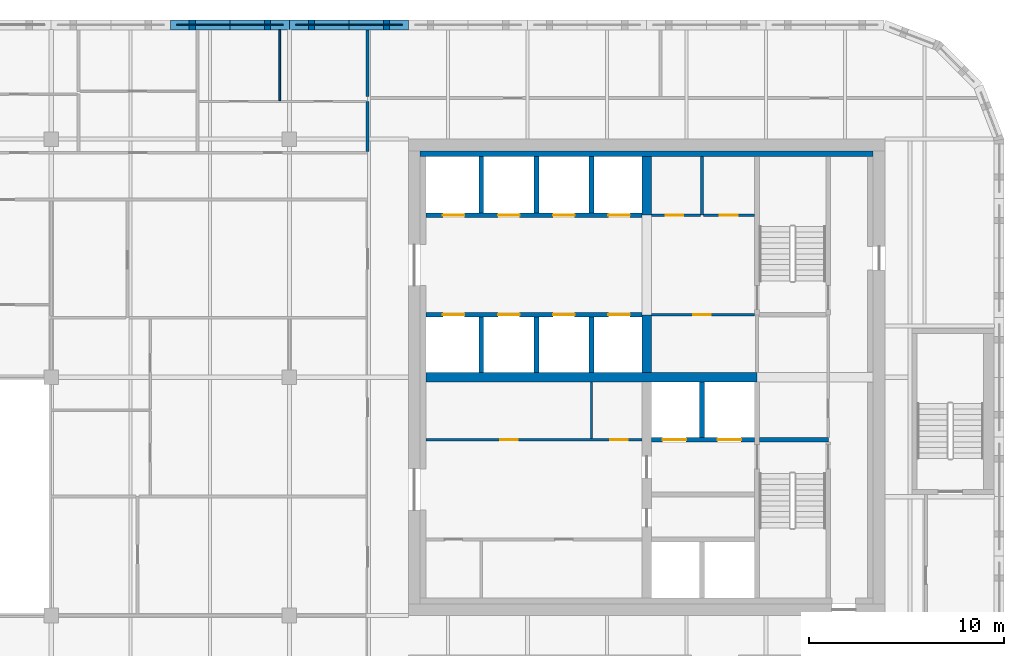
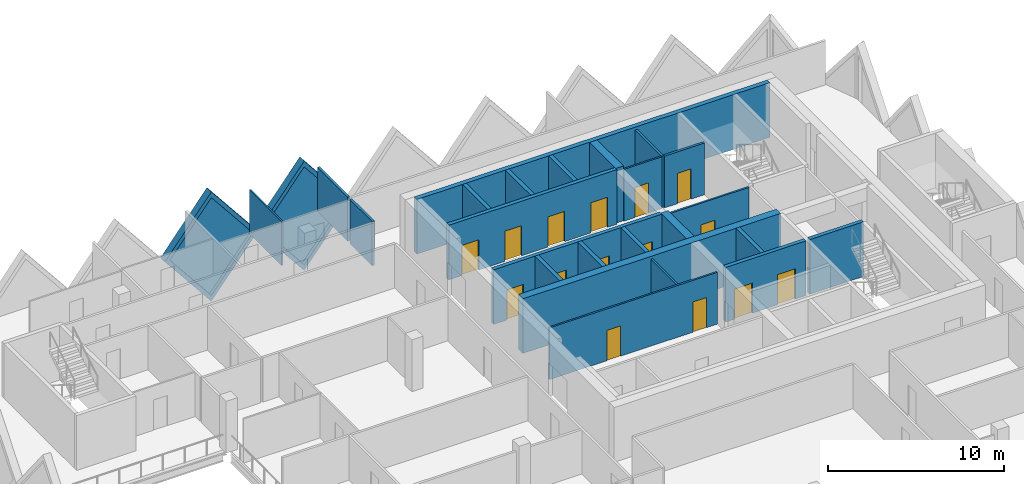
# One storey, part 8 of 11: 26 walls, 15 doors, 2 plates, 17 openings.
"""IFC4 building model written with IfcOpenShell, lengths in metres."""

from ifc_helpers import new_model, si_unit, direction, frame, frame_2d, origin, place, context, subcontext, project, spatial, polyline, rectangle, outline, extrude, faceted_brep, source, transform, mapped, material, layer, layer_set, type_object, element, fill, save


model = new_model("IFC4")

# Units and contexts
model_context = context("Model", 3, precision=1e-05, world=origin(), true_north=direction((0.0, 1.0)))
body_context = subcontext(model_context, "Body", "Model", "MODEL_VIEW")
ifc_project = project(units=[si_unit("LENGTHUNIT", "METRE"), si_unit("AREAUNIT", "SQUARE_METRE"), si_unit("VOLUMEUNIT", "CUBIC_METRE"), si_unit("PLANEANGLEUNIT", "RADIAN"), si_unit("MASSUNIT", "GRAM", prefix="KILO")], contexts=[model_context])

# Site, building, storey
site_placement = place(None, origin())
site = spatial("IfcSite", under=ifc_project, at=site_placement, CompositionType="ELEMENT")
building_placement = place(site_placement, origin())
building = spatial("IfcBuilding", under=site, at=building_placement, Name="Tessera Gate Towers", CompositionType="ELEMENT")
storey_placement = place(building_placement, frame((0.0, 0.0, 166.800048828125)))
storey = spatial("IfcBuildingStorey", under=building, at=storey_placement, Name="L41", CompositionType="ELEMENT", Elevation=166.800048828125)

# Wall, openings, doors
ifc_material_1 = material(Name="Concrete C40/50", Category="concrete")
ifc_layer_1 = layer(ifc_material_1, 0.25)
ifc_layer_set_1 = layer_set([ifc_layer_1], Name="CORE ENCLOSURE WALL 250")
wall_type_1 = type_object("IfcWallType", Name="CORE ENCLOSURE WALL 250", PredefinedType="SOLIDWALL", material=ifc_layer_set_1)
wall_1_placement = place(storey_placement, frame((31.39990234375, 39.800048828125, 0.0), z_axis=(0.0, 0.0, 1.0), x_axis=(1.0, 0.0, 0.0)))
wall_1 = element("IfcWall", 1, at=wall_1_placement, inside=storey, type_object=wall_type_1, Name="L41 shaft and stair enclosure wall", PredefinedType="SOLIDWALL", context=body_context, shape_type="SweptSolid", body=[
    extrude(rectangle(XDim=11.050048828125, YDim=0.25, at=frame_2d((5.52490234375, 0.0))), origin(), (0.0, 0.0, 1.0), 3.800048828125),
])
shared_shape_1 = source(origin(), body_context, "Body", "SweptSolid", [
    extrude(rectangle(XDim=1.10009765625, YDim=2.10009765625, at=frame_2d((0.550048828125, 1.050048828125))), frame((0.0, 0.135009765625, 0.0), z_axis=(0.0, -1.0, 0.0), x_axis=(1.0, 0.0, 0.0)), (0.0, 0.0, 1.0), 0.27001953125),
])
opening_1_placement = place(wall_1_placement, frame((0.862548828125, 0.0, 0.0)))
opening_1 = element("IfcOpeningElement", 2, at=opening_1_placement, cuts=wall_1, Name="Opening LD-HR1", PredefinedType="OPENING", context=body_context, shape_type="MappedRepresentation", body=[
    mapped(shared_shape_1, transform((0.0, 0.0, 0.0), scale=1.0)),
])
opening_2_placement = place(wall_1_placement, frame((3.6875, 0.0, 0.0)))
opening_2 = element("IfcOpeningElement", 3, at=opening_2_placement, cuts=wall_1, Name="Opening LD-HR2", PredefinedType="OPENING", context=body_context, shape_type="MappedRepresentation", body=[
    mapped(shared_shape_1, transform((0.0, 0.0, 0.0), scale=1.0)),
])
opening_3_placement = place(wall_1_placement, frame((6.512451171875, 0.0, 0.0)))
opening_3 = element("IfcOpeningElement", 4, at=opening_3_placement, cuts=wall_1, Name="Opening LD-HR3", PredefinedType="OPENING", context=body_context, shape_type="MappedRepresentation", body=[
    mapped(shared_shape_1, transform((0.0, 0.0, 0.0), scale=1.0)),
])
opening_4_placement = place(wall_1_placement, frame((9.33740234375, 0.0, 0.0)))
opening_4 = element("IfcOpeningElement", 5, at=opening_4_placement, cuts=wall_1, Name="Opening LD-HR4", PredefinedType="OPENING", context=body_context, shape_type="MappedRepresentation", body=[
    mapped(shared_shape_1, transform((0.0, 0.0, 0.0), scale=1.0)),
])
ifc_material_2 = material(Name="Stainless steel", Category="steel")
door_type_1 = type_object("IfcDoorType", Name="CORE DOOR LD 1100x2100", OperationType="DOUBLE_DOOR_SLIDING", PredefinedType="DOOR", material=ifc_material_2)
shared_shape_2 = source(origin(), body_context, "Body", "SweptSolid", [
    extrude(rectangle(XDim=1.10009765625, YDim=2.10009765625, at=frame_2d((0.550048828125, 1.050048828125))), frame((0.0, 0.02490234375, 0.0), z_axis=(0.0, -1.0, 0.0), x_axis=(1.0, 0.0, 0.0)), (0.0, 0.0, 1.0), 0.050048828125),
])
door_1_placement = place(opening_1_placement, origin())
door_1 = element("IfcDoor", 6, at=door_1_placement, inside=storey, type_object=door_type_1, Name="Landing door HR1 L41", OperationType="DOUBLE_DOOR_SLIDING", OverallHeight=2.10009765625, OverallWidth=1.10009765625, PredefinedType="DOOR", context=body_context, shape_type="MappedRepresentation", body=[
    mapped(shared_shape_2, transform((0.0, 0.0, 0.0), scale=1.0)),
])
fill(opening_1, door_1)
door_2_placement = place(opening_2_placement, origin())
door_2 = element("IfcDoor", 7, at=door_2_placement, inside=storey, type_object=door_type_1, Name="Landing door HR2 L41", OperationType="DOUBLE_DOOR_SLIDING", OverallHeight=2.10009765625, OverallWidth=1.10009765625, PredefinedType="DOOR", context=body_context, shape_type="MappedRepresentation", body=[
    mapped(shared_shape_2, transform((0.0, 0.0, 0.0), scale=1.0)),
])
fill(opening_2, door_2)
door_3_placement = place(opening_3_placement, origin())
door_3 = element("IfcDoor", 8, at=door_3_placement, inside=storey, type_object=door_type_1, Name="Landing door HR3 L41", OperationType="DOUBLE_DOOR_SLIDING", OverallHeight=2.10009765625, OverallWidth=1.10009765625, PredefinedType="DOOR", context=body_context, shape_type="MappedRepresentation", body=[
    mapped(shared_shape_2, transform((0.0, 0.0, 0.0), scale=1.0)),
])
fill(opening_3, door_3)
door_4_placement = place(opening_4_placement, origin())
door_4 = element("IfcDoor", 9, at=door_4_placement, inside=storey, type_object=door_type_1, Name="Landing door HR4 L41", OperationType="DOUBLE_DOOR_SLIDING", OverallHeight=2.10009765625, OverallWidth=1.10009765625, PredefinedType="DOOR", context=body_context, shape_type="MappedRepresentation", body=[
    mapped(shared_shape_2, transform((0.0, 0.0, 0.0), scale=1.0)),
])
fill(opening_4, door_4)

wall_2_placement = place(storey_placement, frame((42.449951171875, 44.89990234375, 0.0), z_axis=(0.0, 0.0, 1.0), x_axis=(-1.0, 0.0, 0.0)))
wall_2 = element("IfcWall", 10, at=wall_2_placement, inside=storey, type_object=wall_type_1, Name="L41 shaft and stair enclosure wall", PredefinedType="SOLIDWALL", context=body_context, shape_type="SweptSolid", body=[
    extrude(rectangle(XDim=11.050048828125, YDim=0.25, at=frame_2d((5.52490234375, 0.0))), origin(), (0.0, 0.0, 1.0), 3.800048828125),
])
opening_5_placement = place(wall_2_placement, frame((9.08740234375, 0.0, 0.0)))
opening_5 = element("IfcOpeningElement", 11, at=opening_5_placement, cuts=wall_2, Name="Opening LD-HR5", PredefinedType="OPENING", context=body_context, shape_type="MappedRepresentation", body=[
    mapped(shared_shape_1, transform((0.0, 0.0, 0.0), scale=1.0)),
])
opening_6_placement = place(wall_2_placement, frame((6.262451171875, 0.0, 0.0)))
opening_6 = element("IfcOpeningElement", 12, at=opening_6_placement, cuts=wall_2, Name="Opening LD-HR6", PredefinedType="OPENING", context=body_context, shape_type="MappedRepresentation", body=[
    mapped(shared_shape_1, transform((0.0, 0.0, 0.0), scale=1.0)),
])
opening_7_placement = place(wall_2_placement, frame((3.4375, 0.0, 0.0)))
opening_7 = element("IfcOpeningElement", 13, at=opening_7_placement, cuts=wall_2, Name="Opening LD-HR7", PredefinedType="OPENING", context=body_context, shape_type="MappedRepresentation", body=[
    mapped(shared_shape_1, transform((0.0, 0.0, 0.0), scale=1.0)),
])
opening_8_placement = place(wall_2_placement, frame((0.612548828125, 0.0, 0.0)))
opening_8 = element("IfcOpeningElement", 14, at=opening_8_placement, cuts=wall_2, Name="Opening LD-HR8", PredefinedType="OPENING", context=body_context, shape_type="MappedRepresentation", body=[
    mapped(shared_shape_1, transform((0.0, 0.0, 0.0), scale=1.0)),
])
door_5_placement = place(opening_5_placement, origin())
door_5 = element("IfcDoor", 15, at=door_5_placement, inside=storey, type_object=door_type_1, Name="Landing door HR5 L41", OperationType="DOUBLE_DOOR_SLIDING", OverallHeight=2.10009765625, OverallWidth=1.10009765625, PredefinedType="DOOR", context=body_context, shape_type="MappedRepresentation", body=[
    mapped(shared_shape_2, transform((0.0, 0.0, 0.0), scale=1.0)),
])
fill(opening_5, door_5)
door_6_placement = place(opening_6_placement, origin())
door_6 = element("IfcDoor", 16, at=door_6_placement, inside=storey, type_object=door_type_1, Name="Landing door HR6 L41", OperationType="DOUBLE_DOOR_SLIDING", OverallHeight=2.10009765625, OverallWidth=1.10009765625, PredefinedType="DOOR", context=body_context, shape_type="MappedRepresentation", body=[
    mapped(shared_shape_2, transform((0.0, 0.0, 0.0), scale=1.0)),
])
fill(opening_6, door_6)
door_7_placement = place(opening_7_placement, origin())
door_7 = element("IfcDoor", 17, at=door_7_placement, inside=storey, type_object=door_type_1, Name="Landing door HR7 L41", OperationType="DOUBLE_DOOR_SLIDING", OverallHeight=2.10009765625, OverallWidth=1.10009765625, PredefinedType="DOOR", context=body_context, shape_type="MappedRepresentation", body=[
    mapped(shared_shape_2, transform((0.0, 0.0, 0.0), scale=1.0)),
])
fill(opening_7, door_7)
door_8_placement = place(opening_8_placement, origin())
door_8 = element("IfcDoor", 18, at=door_8_placement, inside=storey, type_object=door_type_1, Name="Landing door HR8 L41", OperationType="DOUBLE_DOOR_SLIDING", OverallHeight=2.10009765625, OverallWidth=1.10009765625, PredefinedType="DOOR", context=body_context, shape_type="MappedRepresentation", body=[
    mapped(shared_shape_2, transform((0.0, 0.0, 0.0), scale=1.0)),
])
fill(opening_8, door_8)

wall_3_placement = place(storey_placement, frame((48.22509765625, 33.39990234375, 0.0), z_axis=(0.0, 0.0, 1.0), x_axis=(-1.0, 0.0, 0.0)))
wall_3 = element("IfcWall", 19, at=wall_3_placement, inside=storey, type_object=wall_type_1, Name="L41 shaft and stair enclosure wall", PredefinedType="SOLIDWALL", context=body_context, shape_type="SweptSolid", body=[
    extrude(rectangle(XDim=5.275146484375, YDim=0.25, at=frame_2d((2.6376953125, 0.0))), origin(), (0.0, 0.0, 1.0), 3.800048828125),
])
shared_shape_3 = source(origin(), body_context, "Body", "SweptSolid", [
    extrude(rectangle(XDim=1.199951171875, YDim=2.10009765625, at=frame_2d((0.60009765625, 1.050048828125))), frame((0.0, 0.135009765625, 0.0), z_axis=(0.0, -1.0, 0.0), x_axis=(1.0, 0.0, 0.0)), (0.0, 0.0, 1.0), 0.27001953125),
])
opening_9_placement = place(wall_3_placement, frame((3.512451171875, 0.0, 0.0)))
opening_9 = element("IfcOpeningElement", 20, at=opening_9_placement, cuts=wall_3, Name="Opening LD-FF1", PredefinedType="OPENING", context=body_context, shape_type="MappedRepresentation", body=[
    mapped(shared_shape_3, transform((0.0, 0.0, 0.0), scale=1.0)),
])
opening_10_placement = place(wall_3_placement, frame((0.6875, 0.0, 0.0)))
opening_10 = element("IfcOpeningElement", 21, at=opening_10_placement, cuts=wall_3, Name="Opening LD-FF2", PredefinedType="OPENING", context=body_context, shape_type="MappedRepresentation", body=[
    mapped(shared_shape_3, transform((0.0, 0.0, 0.0), scale=1.0)),
])
ifc_material_3 = material(Name="Stainless steel", Category="steel")
door_type_2 = type_object("IfcDoorType", Name="CORE DOOR LD1200 1200x2100", OperationType="DOUBLE_DOOR_SLIDING", PredefinedType="DOOR", material=ifc_material_3)
shared_shape_4 = source(origin(), body_context, "Body", "SweptSolid", [
    extrude(rectangle(XDim=1.199951171875, YDim=2.10009765625, at=frame_2d((0.60009765625, 1.050048828125))), frame((0.0, 0.02490234375, 0.0), z_axis=(0.0, -1.0, 0.0), x_axis=(1.0, 0.0, 0.0)), (0.0, 0.0, 1.0), 0.050048828125),
])
door_9_placement = place(opening_9_placement, origin())
door_9 = element("IfcDoor", 22, at=door_9_placement, inside=storey, type_object=door_type_2, Name="Landing door FF1 L41", OperationType="DOUBLE_DOOR_SLIDING", OverallHeight=2.10009765625, OverallWidth=1.199951171875, PredefinedType="DOOR", context=body_context, shape_type="MappedRepresentation", body=[
    mapped(shared_shape_4, transform((0.0, 0.0, 0.0), scale=1.0)),
])
fill(opening_9, door_9)
door_10_placement = place(opening_10_placement, origin())
door_10 = element("IfcDoor", 23, at=door_10_placement, inside=storey, type_object=door_type_2, Name="Landing door FF2 L41", OperationType="DOUBLE_DOOR_SLIDING", OverallHeight=2.10009765625, OverallWidth=1.199951171875, PredefinedType="DOOR", context=body_context, shape_type="MappedRepresentation", body=[
    mapped(shared_shape_4, transform((0.0, 0.0, 0.0), scale=1.0)),
])
fill(opening_10, door_10)

# Walls
wall_4_placement = place(storey_placement, frame((48.47509765625, 33.39990234375, 0.0), z_axis=(0.0, 0.0, 1.0), x_axis=(1.0, 0.0, 0.0)))
element("IfcWall", 24, at=wall_4_placement, inside=storey, type_object=wall_type_1, Name="L41 shaft and stair enclosure wall", PredefinedType="SOLIDWALL", context=body_context, shape_type="SweptSolid", body=[
    extrude(rectangle(XDim=3.52490234375, YDim=0.25, at=frame_2d((1.762451171875, 0.0))), origin(), (0.0, 0.0, 1.0), 3.800048828125),
])
for number, where, z_axis, x_axis, name in (
    (25, (34.22509765625, 36.85009765625, 0.0), (0.0, 0.0, 1.0), (0.0, 1.0, 0.0), "L41 shaft and stair enclosure wall"),
    (26, (37.050048828125, 36.85009765625, 0.0), (0.0, 0.0, 1.0), (0.0, 1.0, 0.0), "L41 shaft and stair enclosure wall"),
    (27, (39.875, 36.85009765625, 0.0), (0.0, 0.0, 1.0), (0.0, 1.0, 0.0), "L41 shaft and stair enclosure wall"),
):
    element("IfcWall", number, at=place(storey_placement, frame(where, z_axis=z_axis, x_axis=x_axis)), inside=storey, type_object=wall_type_1, Name=name, PredefinedType="SOLIDWALL", context=body_context, shape_type="SweptSolid", body=[
        extrude(rectangle(XDim=2.824951171875, YDim=0.25, at=frame_2d((1.41259765625, 0.0))), origin(), (0.0, 0.0, 1.0), 3.800048828125),
    ])
wall_5_placement = place(storey_placement, frame((45.52490234375, 33.52490234375, 0.0), z_axis=(0.0, 0.0, 1.0), x_axis=(0.0, 1.0, 0.0)))
element("IfcWall", 28, at=wall_5_placement, inside=storey, type_object=wall_type_1, Name="L41 shaft and stair enclosure wall", PredefinedType="SOLIDWALL", context=body_context, shape_type="SweptSolid", body=[
    extrude(rectangle(XDim=2.8251953125, YDim=0.25, at=frame_2d((1.41259765625, 0.0))), origin(), (0.0, 0.0, 1.0), 3.800048828125),
])
for number, where, z_axis, x_axis, name in (
    (29, (34.22509765625, 45.02490234375, 0.0), (0.0, 0.0, 1.0), (0.0, 1.0, 0.0), "L41 shaft and stair enclosure wall"),
    (30, (37.050048828125, 45.02490234375, 0.0), (0.0, 0.0, 1.0), (0.0, 1.0, 0.0), "L41 shaft and stair enclosure wall"),
    (31, (39.875, 45.02490234375, 0.0), (0.0, 0.0, 1.0), (0.0, 1.0, 0.0), "L41 shaft and stair enclosure wall"),
):
    element("IfcWall", number, at=place(storey_placement, frame(where, z_axis=z_axis, x_axis=x_axis)), inside=storey, type_object=wall_type_1, Name=name, PredefinedType="SOLIDWALL", context=body_context, shape_type="SweptSolid", body=[
        extrude(rectangle(XDim=2.875, YDim=0.25, at=frame_2d((1.4375, 0.0))), origin(), (0.0, 0.0, 1.0), 3.800048828125),
    ])

# Wall, openings, doors
ifc_material_4 = material(Name="Gypsum board on steel studs", Category="steel")
ifc_layer_2 = layer(ifc_material_4, 0.1201171875)
ifc_layer_set_2 = layer_set([ifc_layer_2], Name="CORE PARTITION 120")
wall_type_2 = type_object("IfcWallType", Name="CORE PARTITION 120", PredefinedType="PARTITIONING", material=ifc_layer_set_2)
wall_6_placement = place(storey_placement, frame((31.39990234375, 33.39990234375, 0.0), z_axis=(0.0, 0.0, 1.0), x_axis=(1.0, 0.0, 0.0)))
wall_6 = element("IfcWall", 32, at=wall_6_placement, inside=storey, type_object=wall_type_2, Name="L41 core partition", PredefinedType="PARTITIONING", context=body_context, shape_type="SweptSolid", body=[
    extrude(rectangle(XDim=11.050048828125, YDim=0.1201171875, at=frame_2d((5.52490234375, 0.0))), origin(), (0.0, 0.0, 1.0), 3.599853515625),
])
shared_shape_5 = source(origin(), body_context, "Body", "SweptSolid", [
    extrude(rectangle(XDim=0.89990234375, YDim=2.10009765625, at=frame_2d((0.449951171875, 1.050048828125))), frame((0.0, 0.070068359375, 0.0), z_axis=(0.0, -1.0, 0.0), x_axis=(1.0, 0.0, 0.0)), (0.0, 0.0, 1.0), 0.14013671875),
])
opening_11_placement = place(wall_6_placement, frame((3.78759765625, 0.0, 0.0)))
opening_11 = element("IfcOpeningElement", 33, at=opening_11_placement, cuts=wall_6, Name="Opening RD-T1-26-09", PredefinedType="OPENING", context=body_context, shape_type="MappedRepresentation", body=[
    mapped(shared_shape_5, transform((0.0, 0.0, 0.0), scale=1.0)),
])
opening_12_placement = place(wall_6_placement, frame((9.4375, 0.0, 0.0)))
opening_12 = element("IfcOpeningElement", 34, at=opening_12_placement, cuts=wall_6, Name="Opening RD-T1-26-10", PredefinedType="OPENING", context=body_context, shape_type="MappedRepresentation", body=[
    mapped(shared_shape_5, transform((0.0, 0.0, 0.0), scale=1.0)),
])
ifc_material_5 = material(Name="Hollow steel fire door", Category="steel")
door_type_3 = type_object("IfcDoorType", Name="CORE DOOR RD 900x2100", OperationType="NOTDEFINED", PredefinedType="DOOR", material=ifc_material_5)
shared_shape_6 = source(origin(), body_context, "Body", "SweptSolid", [
    extrude(rectangle(XDim=0.89990234375, YDim=2.10009765625, at=frame_2d((0.449951171875, 1.050048828125))), frame((0.0, 0.02490234375, 0.0), z_axis=(0.0, -1.0, 0.0), x_axis=(1.0, 0.0, 0.0)), (0.0, 0.0, 1.0), 0.050048828125),
])
door_11_placement = place(opening_11_placement, origin())
door_11 = element("IfcDoor", 35, at=door_11_placement, inside=storey, type_object=door_type_3, Name="Core room door", OperationType="SINGLE_SWING_LEFT", OverallHeight=2.10009765625, OverallWidth=0.89990234375, PredefinedType="DOOR", context=body_context, shape_type="MappedRepresentation", body=[
    mapped(shared_shape_6, transform((0.0, 0.0, 0.0), scale=1.0)),
])
fill(opening_11, door_11)
door_12_placement = place(opening_12_placement, origin())
door_12 = element("IfcDoor", 36, at=door_12_placement, inside=storey, type_object=door_type_3, Name="Core room door", OperationType="SINGLE_SWING_RIGHT", OverallHeight=2.10009765625, OverallWidth=0.89990234375, PredefinedType="DOOR", context=body_context, shape_type="MappedRepresentation", body=[
    mapped(shared_shape_6, transform((0.0, 0.0, 0.0), scale=1.0)),
])
fill(opening_12, door_12)

# Wall, opening, door
wall_7_placement = place(storey_placement, frame((48.22509765625, 39.800048828125, 0.0), z_axis=(0.0, 0.0, 1.0), x_axis=(-1.0, 0.0, 0.0)))
wall_7 = element("IfcWall", 37, at=wall_7_placement, inside=storey, type_object=wall_type_2, Name="L41 core partition", PredefinedType="PARTITIONING", context=body_context, shape_type="SweptSolid", body=[
    extrude(rectangle(XDim=5.275146484375, YDim=0.1201171875, at=frame_2d((2.6376953125, 0.0))), origin(), (0.0, 0.0, 1.0), 3.599853515625),
])
opening_13_placement = place(wall_7_placement, frame((2.25, 0.0, 0.0)))
opening_13 = element("IfcOpeningElement", 38, at=opening_13_placement, cuts=wall_7, Name="Opening RD-T1-26-12", PredefinedType="OPENING", context=body_context, shape_type="MappedRepresentation", body=[
    mapped(shared_shape_5, transform((0.0, 0.0, 0.0), scale=1.0)),
])
door_13_placement = place(opening_13_placement, origin())
door_13 = element("IfcDoor", 39, at=door_13_placement, inside=storey, type_object=door_type_3, Name="Core room door", OperationType="SINGLE_SWING_RIGHT", OverallHeight=2.10009765625, OverallWidth=0.89990234375, PredefinedType="DOOR", context=body_context, shape_type="MappedRepresentation", body=[
    mapped(shared_shape_6, transform((0.0, 0.0, 0.0), scale=1.0)),
])
fill(opening_13, door_13)

# Wall
wall_8_placement = place(storey_placement, frame((39.875, 33.4599609375, 0.0), z_axis=(0.0, 0.0, 1.0), x_axis=(0.0, 1.0, 0.0)))
element("IfcWall", 40, at=wall_8_placement, inside=storey, type_object=wall_type_2, Name="L41 core partition", PredefinedType="PARTITIONING", context=body_context, shape_type="SweptSolid", body=[
    extrude(rectangle(XDim=2.89013671875, YDim=0.1201171875, at=frame_2d((1.445068359375, 0.0))), origin(), (0.0, 0.0, 1.0), 3.599853515625),
])

# Wall, opening, door
wall_9_placement = place(storey_placement, frame((42.949951171875, 44.89990234375, 0.0), z_axis=(0.0, 0.0, 1.0), x_axis=(1.0, 0.0, 0.0)))
wall_9 = element("IfcWall", 41, at=wall_9_placement, inside=storey, type_object=wall_type_2, Name="L41 core partition", PredefinedType="PARTITIONING", context=body_context, shape_type="SweptSolid", body=[
    extrude(rectangle(XDim=2.5, YDim=0.1201171875, at=frame_2d((1.25, 0.0))), origin(), (0.0, 0.0, 1.0), 3.599853515625),
])
opening_14_placement = place(wall_9_placement, frame((0.71240234375, 0.0, 0.0)))
opening_14 = element("IfcOpeningElement", 42, at=opening_14_placement, cuts=wall_9, Name="Opening RD-T1-26-13", PredefinedType="OPENING", context=body_context, shape_type="MappedRepresentation", body=[
    mapped(shared_shape_5, transform((0.0, 0.0, 0.0), scale=1.0)),
])
door_14_placement = place(opening_14_placement, origin())
door_14 = element("IfcDoor", 43, at=door_14_placement, inside=storey, type_object=door_type_3, Name="Core room door", OperationType="SINGLE_SWING_LEFT", OverallHeight=2.10009765625, OverallWidth=0.89990234375, PredefinedType="DOOR", context=body_context, shape_type="MappedRepresentation", body=[
    mapped(shared_shape_6, transform((0.0, 0.0, 0.0), scale=1.0)),
])
fill(opening_14, door_14)

# Walls
ifc_material_6 = material(Name="Concrete C50/60", Category="concrete")
ifc_layer_3 = layer(ifc_material_6, 0.5)
ifc_layer_set_3 = layer_set([ifc_layer_3], Name="CORE SPINE WALL 500 C50/60")
wall_type_3 = type_object("IfcWallType", Name="CORE SPINE WALL 500 C50/60", PredefinedType="SHEAR", material=ifc_layer_set_3)
wall_10_placement = place(storey_placement, frame((31.39990234375, 36.60009765625, 0.0), z_axis=(0.0, 0.0, 1.0), x_axis=(1.0, 0.0, 0.0)))
element("IfcWall", 44, at=wall_10_placement, inside=storey, type_object=wall_type_3, Name="Core wall spine L41", PredefinedType="SHEAR", context=body_context, shape_type="SweptSolid", body=[
    extrude(rectangle(XDim=16.9501953125, YDim=0.5, at=frame_2d((8.47509765625, 0.0))), origin(), (0.0, 0.0, 1.0), 3.800048828125),
])
wall_11_placement = place(storey_placement, frame((42.699951171875, 36.85009765625, 0.0), z_axis=(0.0, 0.0, 1.0), x_axis=(0.0, 1.0, 0.0)))
element("IfcWall", 45, at=wall_11_placement, inside=storey, type_object=wall_type_3, Name="Core wall spine L41", PredefinedType="SHEAR", context=body_context, shape_type="SweptSolid", body=[
    extrude(rectangle(XDim=2.949951171875, YDim=0.5, at=frame_2d((1.47509765625, 0.0))), origin(), (0.0, 0.0, 1.0), 3.800048828125),
])
wall_12_placement = place(storey_placement, frame((42.699951171875, 44.89990234375, 0.0), z_axis=(0.0, 0.0, 1.0), x_axis=(0.0, 1.0, 0.0)))
element("IfcWall", 46, at=wall_12_placement, inside=storey, type_object=wall_type_3, Name="Core wall spine L41", PredefinedType="SHEAR", context=body_context, shape_type="SweptSolid", body=[
    extrude(rectangle(XDim=3.0, YDim=0.5, at=frame_2d((1.5, 0.0))), origin(), (0.0, 0.0, 1.0), 3.800048828125),
])
ifc_material_7 = material(Name="Concrete C50/60", Category="concrete")
ifc_layer_4 = layer(ifc_material_7, 0.300048828125)
ifc_layer_set_4 = layer_set([ifc_layer_4], Name="CORE WALL THICKENING 300")
wall_type_4 = type_object("IfcWallType", Name="CORE WALL THICKENING 300", PredefinedType="SOLIDWALL", material=ifc_layer_set_4)
wall_13_placement = place(storey_placement, frame((31.10009765625, 48.050048828125, 0.0), z_axis=(0.0, 0.0, 1.0), x_axis=(1.0, 0.0, 0.0)))
element("IfcWall", 47, at=wall_13_placement, inside=storey, type_object=wall_type_4, Name="Core wall thickening N L41", PredefinedType="SOLIDWALL", context=body_context, shape_type="SweptSolid", body=[
    extrude(rectangle(XDim=23.199951171875, YDim=0.300048828125, at=frame_2d((11.60009765625, 0.0))), origin(), (0.0, 0.0, 1.0), 3.800048828125),
])
ifc_material_8 = material(Name="Gypsum board on steel studs, mineral wool", Category="steel")
ifc_layer_5 = layer(ifc_material_8, 0.14990234375)
ifc_layer_set_5 = layer_set([ifc_layer_5], Name="CORRIDOR WALL 150")
wall_type_5 = type_object("IfcWallType", Name="CORRIDOR WALL 150", PredefinedType="PARTITIONING", material=ifc_layer_set_5)
wall_14_placement = place(storey_placement, frame((28.39990234375, 48.176025390625, 0.0), z_axis=(0.0, 0.0, 1.0), x_axis=(0.0, 1.0, 0.0)))
element("IfcWall", 48, at=wall_14_placement, inside=storey, type_object=wall_type_5, Name="T1-L41-PW-044", PredefinedType="PARTITIONING", context=body_context, shape_type="SweptSolid", body=[
    extrude(rectangle(XDim=2.549072265625, YDim=0.14990234375, at=frame_2d((1.2744140625, 0.0))), origin(), (0.0, 0.0, 1.0), 3.06689453125),
])
ifc_material_9 = material(Name="Gypsum board on steel studs", Category="steel")
ifc_layer_6 = layer(ifc_material_9, 0.10009765625)
ifc_layer_set_6 = layer_set([ifc_layer_6], Name="PARTITION 100")
wall_type_6 = type_object("IfcWallType", Name="PARTITION 100", PredefinedType="PARTITIONING", material=ifc_layer_set_6)
wall_15_placement = place(storey_placement, frame((23.903076171875, 50.77587890625, 0.0), z_axis=(0.0, 0.0, 1.0), x_axis=(0.0, 1.0, 0.0)))
element("IfcWall", 49, at=wall_15_placement, inside=storey, type_object=wall_type_6, Name="T1-L41-PW-046", PredefinedType="PARTITIONING", context=body_context, shape_type="SweptSolid", body=[
    extrude(rectangle(XDim=3.6240234375, YDim=0.10009765625, at=frame_2d((1.81201171875, 0.0))), origin(), (0.0, 0.0, 1.0), 3.06689453125),
])
ifc_material_10 = material(Name="Gypsum board on steel studs", Category="steel")
ifc_layer_7 = layer(ifc_material_10, 0.14990234375)
ifc_layer_set_7 = layer_set([ifc_layer_7], Name="SERVICE ROOM WALL 150")
wall_type_7 = type_object("IfcWallType", Name="SERVICE ROOM WALL 150", PredefinedType="PARTITIONING", material=ifc_layer_set_7)
wall_16_placement = place(storey_placement, frame((45.52490234375, 44.89990234375, 0.0), z_axis=(0.0, 0.0, 1.0), x_axis=(0.0, 1.0, 0.0)))
element("IfcWall", 50, at=wall_16_placement, inside=storey, type_object=wall_type_7, Name="L41 service room wall", PredefinedType="PARTITIONING", context=body_context, shape_type="SweptSolid", body=[
    extrude(rectangle(XDim=3.0, YDim=0.14990234375, at=frame_2d((1.5, 0.0))), origin(), (0.0, 0.0, 1.0), 3.599853515625),
])

# Wall, opening, door
wall_17_placement = place(storey_placement, frame((45.60009765625, 44.89990234375, 0.0), z_axis=(0.0, 0.0, 1.0), x_axis=(1.0, 0.0, 0.0)))
wall_17 = element("IfcWall", 51, at=wall_17_placement, inside=storey, type_object=wall_type_7, Name="L41 service room wall", PredefinedType="PARTITIONING", context=body_context, shape_type="SweptSolid", body=[
    extrude(rectangle(XDim=2.625, YDim=0.14990234375, at=frame_2d((1.3125, 0.0))), origin(), (0.0, 0.0, 1.0), 3.599853515625),
])
shared_shape_7 = source(origin(), body_context, "Body", "SweptSolid", [
    extrude(rectangle(XDim=0.89990234375, YDim=2.10009765625, at=frame_2d((0.449951171875, 1.050048828125))), frame((0.0, 0.0849609375, 0.0), z_axis=(0.0, -1.0, 0.0), x_axis=(1.0, 0.0, 0.0)), (0.0, 0.0, 1.0), 0.169921875),
])
opening_15_placement = place(wall_17_placement, frame((0.85009765625, 0.0, 0.0)))
opening_15 = element("IfcOpeningElement", 52, at=opening_15_placement, cuts=wall_17, Name="Opening RD-T1-26-14", PredefinedType="OPENING", context=body_context, shape_type="MappedRepresentation", body=[
    mapped(shared_shape_7, transform((0.0, 0.0, 0.0), scale=1.0)),
])
door_15_placement = place(opening_15_placement, origin())
door_15 = element("IfcDoor", 53, at=door_15_placement, inside=storey, type_object=door_type_3, Name="Core room door", OperationType="SINGLE_SWING_LEFT", OverallHeight=2.10009765625, OverallWidth=0.89990234375, PredefinedType="DOOR", context=body_context, shape_type="MappedRepresentation", body=[
    mapped(shared_shape_6, transform((0.0, 0.0, 0.0), scale=1.0)),
])
fill(opening_15, door_15)

# Wall
ifc_material_11 = material(Name="Gypsum board on steel studs, mineral wool", Category="steel")
ifc_layer_8 = layer(ifc_material_11, 0.14990234375)
ifc_layer_set_8 = layer_set([ifc_layer_8], Name="TENANCY WALL 150")
wall_type_8 = type_object("IfcWallType", Name="TENANCY WALL 150", PredefinedType="PARTITIONING", material=ifc_layer_set_8)
wall_18_placement = place(storey_placement, frame((28.39990234375, 50.97607421875, 0.0), z_axis=(0.0, 0.0, 1.0), x_axis=(0.0, 1.0, 0.0)))
element("IfcWall", 54, at=wall_18_placement, inside=storey, type_object=wall_type_8, Name="T1-L41-PW-048", PredefinedType="PARTITIONING", context=body_context, shape_type="SweptSolid", body=[
    extrude(rectangle(XDim=3.423828125, YDim=0.14990234375, at=frame_2d((1.7119140625, 0.0))), origin(), (0.0, 0.0, 1.0), 3.06689453125),
])

# Wall, opening, plate
ifc_material_12 = material(Name="Precast concrete C60/75 white", Category="concrete")
ifc_layer_9 = layer(ifc_material_12, 0.5)
ifc_layer_set_9 = layer_set([ifc_layer_9], Name="TS1 tessera")
wall_type_9 = type_object("IfcWallType", Name="TS1 tessera", PredefinedType="SOLIDWALL", material=ifc_layer_set_9)
shared_shape_8 = source(origin(), body_context, "Body", "Brep", [
    faceted_brep([(3.050048828125, -0.25, 0.0), (6.099853515625, -0.25, 3.7998046875), (6.099853515625, -0.25, 3.80029296875), (3.050048828125, -0.25, 7.60009765625), (0.0, -0.25, 3.800048828125), (0.0, 0.25, 3.800048828125), (3.050048828125, 0.25, 7.60009765625), (6.099853515625, 0.25, 3.80029296875), (6.099853515625, 0.25, 3.7998046875), (3.050048828125, 0.25, 0.0)], [[[0, 1, 2, 3, 4]], [[5, 6, 7, 8, 9]], [[9, 8, 1, 0]], [[7, 6, 3, 2]], [[6, 5, 4, 3]], [[5, 9, 0, 4]], [[1, 8, 7, 2]]]),
])
wall_19_placement = place(storey_placement, frame((24.39990234375, 54.64990234375, -3.800048828125), z_axis=(0.0, 0.0, 1.0), x_axis=(-1.0, 0.0, 0.0)))
wall_19 = element("IfcWall", 55, at=wall_19_placement, inside=storey, type_object=wall_type_9, Name="Precast tessera T1 TS1-0705", PredefinedType="SOLIDWALL", context=body_context, shape_type="MappedRepresentation", body=[
    mapped(shared_shape_8, transform((0.0, 0.0, 0.0), scale=1.0)),
])
shared_shape_9 = source(origin(), body_context, "Body", "SweptSolid", [
    extrude(outline(polyline([(3.050048828125, 0.3994140625), (5.779541015625, 3.800048828125), (3.050048828125, 7.20068359375), (0.320556640625, 3.800048828125), (3.050048828125, 0.3994140625)])), frame((0.0, 0.260009765625, 0.0), z_axis=(0.0, -1.0, 0.0), x_axis=(1.0, 0.0, 0.0)), (0.0, 0.0, 1.0), 0.52001953125),
])
opening_16_placement = place(wall_19_placement, origin())
opening_16 = element("IfcOpeningElement", 56, at=opening_16_placement, cuts=wall_19, Name="Opening T1-PL2-1433", PredefinedType="OPENING", context=body_context, shape_type="MappedRepresentation", body=[
    mapped(shared_shape_9, transform((0.0, 0.0, 0.0), scale=1.0)),
])
ifc_material_13 = material(Name="Low-e laminated glass", Category="glass")
ifc_layer_10 = layer(ifc_material_13, 0.06005859375)
ifc_layer_set_10 = layer_set([ifc_layer_10], Name="PL2 rhombic pane")
plate_type = type_object("IfcPlateType", Name="PL2 rhombic pane", PredefinedType="SHEET", material=ifc_layer_set_10)
shared_shape_10 = source(origin(), body_context, "Body", "SweptSolid", [
    extrude(outline(polyline([(3.050048828125, 0.3994140625), (5.779541015625, 3.800048828125), (3.050048828125, 7.20068359375), (0.320556640625, 3.800048828125), (3.050048828125, 0.3994140625)])), frame((0.0, 0.030029296875, 0.0), z_axis=(0.0, -1.0, 0.0), x_axis=(1.0, 0.0, 0.0)), (0.0, 0.0, 1.0), 0.06005859375),
])
plate_1_placement = place(opening_16_placement, origin())
plate_1 = element("IfcPlate", 57, at=plate_1_placement, inside=storey, type_object=plate_type, Name="Glass pane T1 PL2-1433", PredefinedType="SHEET", context=body_context, shape_type="MappedRepresentation", body=[
    mapped(shared_shape_10, transform((0.0, 0.0, 0.0), scale=1.0)),
])
fill(opening_16, plate_1)

shared_shape_11 = source(origin(), body_context, "Body", "SweptSolid", [
    extrude(outline(polyline([(3.050048828125, 0.0), (6.10009765625, 3.800048828125), (3.050048828125, 7.60009765625), (0.0, 3.800048828125), (3.050048828125, 0.0)])), frame((0.0, 0.25, 0.0), z_axis=(0.0, -1.0, 0.0), x_axis=(1.0, 0.0, 0.0)), (0.0, 0.0, 1.0), 0.5),
])
wall_20_placement = place(storey_placement, frame((30.5, 54.64990234375, -3.800048828125), z_axis=(0.0, 0.0, 1.0), x_axis=(-1.0, 0.0, 0.0)))
wall_20 = element("IfcWall", 58, at=wall_20_placement, inside=storey, type_object=wall_type_9, Name="Precast tessera T1 TS1-0704", PredefinedType="SOLIDWALL", context=body_context, shape_type="MappedRepresentation", body=[
    mapped(shared_shape_11, transform((0.0, 0.0, 0.0), scale=1.0)),
])
opening_17_placement = place(wall_20_placement, origin())
opening_17 = element("IfcOpeningElement", 59, at=opening_17_placement, cuts=wall_20, Name="Opening T1-PL2-1432", PredefinedType="OPENING", context=body_context, shape_type="MappedRepresentation", body=[
    mapped(shared_shape_9, transform((0.0, 0.0, 0.0), scale=1.0)),
])
plate_2_placement = place(opening_17_placement, origin())
plate_2 = element("IfcPlate", 60, at=plate_2_placement, inside=storey, type_object=plate_type, Name="Glass pane T1 PL2-1432", PredefinedType="SHEET", context=body_context, shape_type="MappedRepresentation", body=[
    mapped(shared_shape_10, transform((0.0, 0.0, 0.0), scale=1.0)),
])
fill(opening_17, plate_2)

save(model, "model.ifc")
